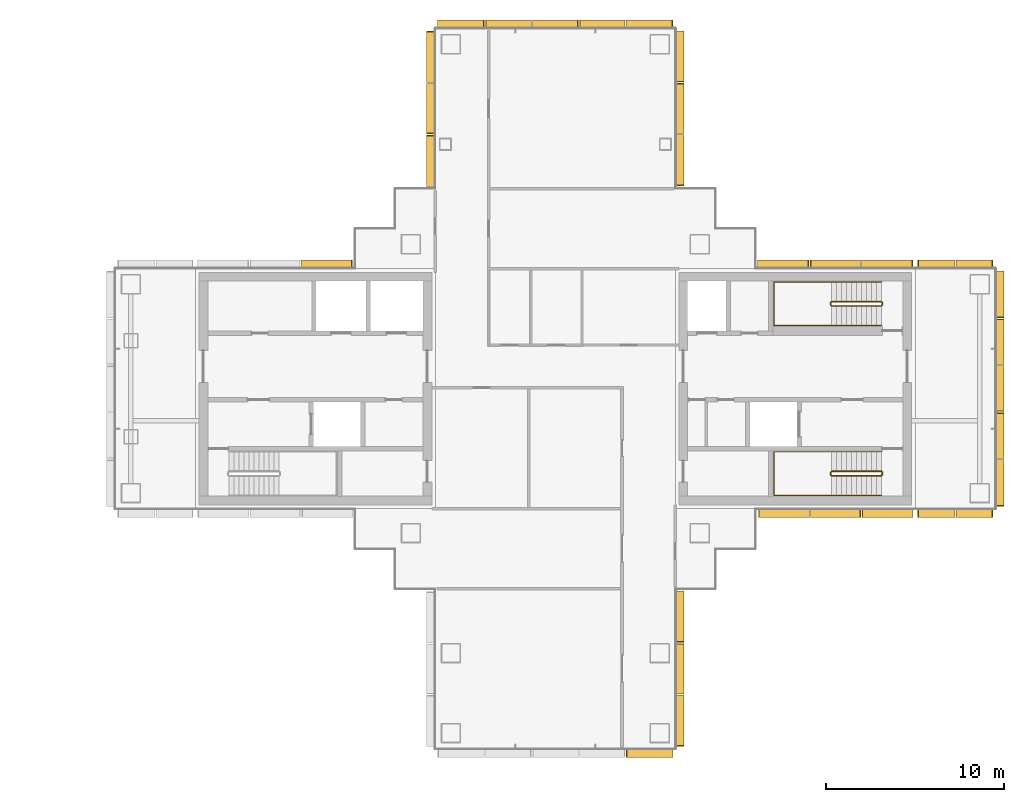
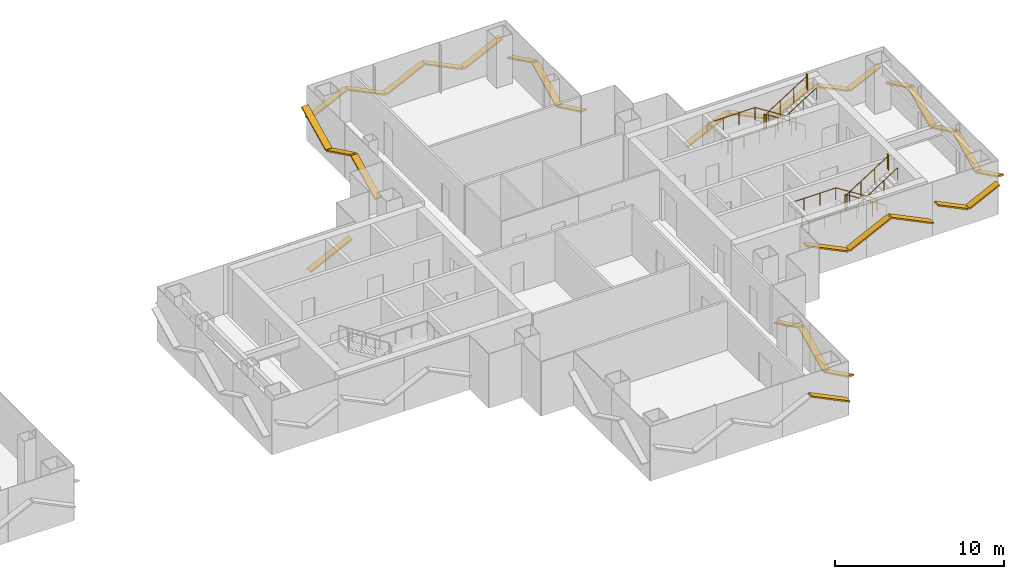
# One storey, part 16 of 16: 31 shading devices, 4 railings.
"""IFC4 building model written with IfcOpenShell, lengths in metres."""

import ifcopenshell
import ifcopenshell.guid

model = None  # the IFC model being written
_history = None  # IfcOwnerHistory: only IFC2X3 demands one
_inside = {}  # id of a spatial element -> (the spatial element, [elements in it])
_under = {}  # id of a project, library or spatial element -> (it, [spatial elements below it])
_declared = {}  # id of a project -> (the project, [libraries it declares])
_typed = {}  # id of a type object -> (the type object, [elements of that type])
_made_of = {}  # id of a material, layer set ... -> (it, [elements and type objects made of it])


def new_model(schema):
    """Start an empty IFC model of exactly this schema.

    Asked for "IFC4X3", IfcOpenShell would pick the latest addendum, in which some entities
    have other attributes; the version numbers below select the first issue.
    IFC2X3 requires an IfcOwnerHistory on every rooted entity: one is made here for all.
    """
    global model, _history
    if schema == "IFC4X3":
        model = ifcopenshell.file(schema_version=(4, 3, 0, 0))
    else:
        model = ifcopenshell.file(schema=schema)
    _inside.clear()
    _under.clear()
    _declared.clear()
    _typed.clear()
    _made_of.clear()
    _history = None
    if model.schema == "IFC2X3":
        org = make("IfcOrganization", Name="unknown")
        user = make(
            "IfcPersonAndOrganization",
            ThePerson=make("IfcPerson", FamilyName="unknown"),
            TheOrganization=org,
        )
        app = make(
            "IfcApplication",
            ApplicationDeveloper=org,
            Version="unknown",
            ApplicationFullName="unknown",
            ApplicationIdentifier="unknown",
        )
        _history = make(
            "IfcOwnerHistory",
            OwningUser=user,
            OwningApplication=app,
            ChangeAction="ADDED",
            CreationDate=0,
        )
    return model


def make(cls, **values):
    """One entity of the class cls with the attributes given. An attribute that is None is left unset."""
    return model.create_entity(
        cls, **{name: value for name, value in values.items() if value is not None}
    )


def rooted(cls, **values):
    """An entity with a GlobalId (a new one), such as an element, a storey or a relation."""
    return make(cls, GlobalId=ifcopenshell.guid.new(), OwnerHistory=_history, **values)


def si_unit(unit_type, name, prefix=None):
    """IfcSIUnit, for example si_unit("LENGTHUNIT", "METRE", prefix="MILLI")."""
    return make("IfcSIUnit", UnitType=unit_type, Prefix=prefix, Name=name)


def assignment(units):
    """IfcUnitAssignment: the units of a project."""
    return None if units is None else make("IfcUnitAssignment", Units=units)


def point(xyz):
    """IfcCartesianPoint."""
    return None if xyz is None else make("IfcCartesianPoint", Coordinates=xyz)


def direction(xyz):
    """IfcDirection."""
    return None if xyz is None else make("IfcDirection", DirectionRatios=xyz)


def frame(location, z_axis=None, x_axis=None):
    """IfcAxis2Placement3D, a coordinate frame: its origin and axes. An axis left out is left unset."""
    return make(
        "IfcAxis2Placement3D",
        Location=point(location),
        Axis=direction(z_axis),
        RefDirection=direction(x_axis),
    )


def frame_2d(location, x_axis=None):
    """IfcAxis2Placement2D, a coordinate frame in the plane: its origin and x axis."""
    return make(
        "IfcAxis2Placement2D", Location=point(location), RefDirection=direction(x_axis)
    )


def origin():
    """The frame at (0, 0, 0) with its axes left unset."""
    return frame((0.0, 0.0, 0.0))


def origin_2d():
    """The frame at (0, 0) in the plane with its x axis left unset."""
    return frame_2d((0.0, 0.0))


def place(relative_to, where):
    """IfcLocalPlacement: puts the frame where relative to a parent placement (None: the world)."""
    return make(
        "IfcLocalPlacement", PlacementRelTo=relative_to, RelativePlacement=where
    )


def context(
    kind, dimensions, precision=None, world=None, true_north=None, identifier=None
):
    """IfcGeometricRepresentationContext, for example the 3D "Model" context."""
    return make(
        "IfcGeometricRepresentationContext",
        ContextIdentifier=identifier,
        ContextType=kind,
        CoordinateSpaceDimension=dimensions,
        Precision=precision,
        WorldCoordinateSystem=world,
        TrueNorth=true_north,
    )


def subcontext(parent, identifier, kind, view, scale=None):
    """IfcGeometricRepresentationSubContext, for example "Body" below "Model"."""
    return make(
        "IfcGeometricRepresentationSubContext",
        ContextIdentifier=identifier,
        ContextType=kind,
        ParentContext=parent,
        TargetScale=scale,
        TargetView=view,
    )


def project(units=None, contexts=None):
    """IfcProject with its units and contexts."""
    return rooted(
        "IfcProject",
        Name="project",
        RepresentationContexts=contexts,
        UnitsInContext=assignment(units),
    )


def spatial(cls, under=None, at=None, **own):
    """A site, building, storey or space (cls), placed at a placement, below another one or the project."""
    s = rooted(cls, ObjectPlacement=at, **own)
    if under is not None:
        _under.setdefault(under.id(), (under, []))[1].append(s)
    return s


def profile(cls, at=None, kind="AREA", **sizes):
    """A parametric profile (cls). Its sizes go by their IFC names, for example OverallWidth=200.0."""
    return make(cls, ProfileType=kind, Position=at, **sizes)


def rectangle(**sizes):
    """IfcRectangleProfileDef."""
    return profile("IfcRectangleProfileDef", **sizes)


def circle(**sizes):
    """IfcCircleProfileDef."""
    return profile("IfcCircleProfileDef", **sizes)


def extrude(swept, where, along, depth):
    """IfcExtrudedAreaSolid: the profile swept, set in the frame where, extruded along a direction by depth."""
    return make(
        "IfcExtrudedAreaSolid",
        SweptArea=swept,
        Position=where,
        ExtrudedDirection=direction(along),
        Depth=depth,
    )


def shape(context_of_items, identifier, shape_type, items):
    """IfcShapeRepresentation: the items that make up one representation, for example the "Body"."""
    return make(
        "IfcShapeRepresentation",
        ContextOfItems=context_of_items,
        RepresentationIdentifier=identifier,
        RepresentationType=shape_type,
        Items=items,
    )


def material(Name=None, Category=None):
    """IfcMaterial."""
    return make("IfcMaterial", Name=Name, Category=Category)


def material_profile(
    of_material, cross_section, Name=None, Category=None, Priority=None
):
    """IfcMaterialProfile: a cross section and its material."""
    return make(
        "IfcMaterialProfile",
        Name=Name,
        Material=of_material,
        Profile=cross_section,
        Priority=Priority,
        Category=Category,
    )


def profile_set(profiles, Name=None, composite=None):
    """IfcMaterialProfileSet."""
    return make(
        "IfcMaterialProfileSet",
        Name=Name,
        MaterialProfiles=profiles,
        CompositeProfile=composite,
    )


def made_of(thing, what):
    """Note that an element or type object is made of a material, layer set ...; save() writes the relation."""
    if what is not None:
        _made_of.setdefault(what.id(), (what, []))[1].append(thing)
    return thing


def type_object(cls, material=None, **own):
    """A type object (cls), such as IfcWallType, which elements share."""
    return made_of(rooted(cls, **own), material)


def element(
    cls,
    number,
    at=None,
    inside=None,
    cuts=None,
    type_object=None,
    material=None,
    context=None,
    identifier="Body",
    shape_type=None,
    held_by="IfcProductDefinitionShape",
    body=None,
    shapes=None,
    **own,
):
    """One element of the class cls, such as IfcWall. Its Tag is "e" and its number.

    at: its placement. inside: the storey or other place that contains it. cuts: it is an
    opening in that element (IfcRelVoidsElement). A single representation is given by context,
    identifier, shape_type and body (its items); several are given by shapes. held_by: the class
    of the entity that holds the representations. save() writes the other relations.
    """
    e = rooted(cls, Tag="e%d" % number, ObjectPlacement=at, **own)
    if body is not None:
        shapes = [shape(context, identifier, shape_type, body)]
    if shapes is not None:
        e.Representation = make(held_by, Representations=shapes)
    if inside is not None:
        _inside.setdefault(inside.id(), (inside, []))[1].append(e)
    if cuts is not None:
        rooted(
            "IfcRelVoidsElement", RelatingBuildingElement=cuts, RelatedOpeningElement=e
        )
    if type_object is not None:
        _typed.setdefault(type_object.id(), (type_object, []))[1].append(e)
    return made_of(e, material)


def aggregate(whole, parts):
    """IfcRelAggregates: a whole, such as a stair, and the parts it consists of."""
    return rooted("IfcRelAggregates", RelatingObject=whole, RelatedObjects=parts)


def save(model, path):
    """Write the relations noted so far, then the file.

    IfcRelAggregates (storeys below a building ...), IfcRelContainedInSpatialStructure (elements
    in a storey), IfcRelDefinesByType, IfcRelAssociatesMaterial and IfcRelDeclares: one each for
    every whole, place, type object, material and project.
    """
    for whole, parts in _under.values():
        aggregate(whole, parts)
    for where, things in _inside.values():
        rooted(
            "IfcRelContainedInSpatialStructure",
            RelatedElements=things,
            RelatingStructure=where,
        )
    for kind, things in _typed.values():
        rooted("IfcRelDefinesByType", RelatedObjects=things, RelatingType=kind)
    for what, things in _made_of.values():
        rooted("IfcRelAssociatesMaterial", RelatedObjects=things, RelatingMaterial=what)
    for by, libraries in _declared.values():
        rooted("IfcRelDeclares", RelatingContext=by, RelatedDefinitions=libraries)
    model.write(path)


model = new_model("IFC4")

# Units and contexts
model_context = context("Model", 3, precision=1e-05, world=origin(), true_north=direction((0.0, 1.0)))
body_context = subcontext(model_context, "Body", "Model", "MODEL_VIEW")
ifc_project = project(units=[si_unit("LENGTHUNIT", "METRE"), si_unit("AREAUNIT", "SQUARE_METRE"), si_unit("VOLUMEUNIT", "CUBIC_METRE"), si_unit("PLANEANGLEUNIT", "RADIAN"), si_unit("MASSUNIT", "GRAM", prefix="KILO")], contexts=[model_context])

# Site, building, storey
site_placement = place(None, origin())
site = spatial("IfcSite", under=ifc_project, at=site_placement, CompositionType="ELEMENT")
building_placement = place(site_placement, origin())
building = spatial("IfcBuilding", under=site, at=building_placement, Name="Shamsa Quay Exchange Towers", CompositionType="ELEMENT")
storey_placement = place(building_placement, frame((0.0, 0.0, 166.199951171875)))
storey = spatial("IfcBuildingStorey", under=building, at=storey_placement, Name="L39", CompositionType="ELEMENT", Elevation=166.199951171875)

# Shading devices
ifc_material_1 = material(Name="Aluminium EN AW-6063 T6, black anodised", Category="aluminium")
ifc_material_profile = material_profile(ifc_material_1, rectangle(XDim=0.449951171875, YDim=0.10009765625, at=origin_2d()), Name="FIN450x100")
ifc_profile_set = profile_set([ifc_material_profile], Name="Aluminium EN AW-6063 T6, black anodised")
shading_device_type = type_object("IfcShadingDeviceType", Name="FIN 450x100 BLACK ALUMINIUM", PredefinedType="USERDEFINED", material=ifc_profile_set)
shading_device_1_placement = place(storey_placement, frame((45.18798828125, -7.01904296875, 2.2919921875), z_axis=(0.898807091918, 0.0, -0.438344398296), x_axis=(0.0, 1.0, 0.0)))
element("IfcShadingDevice", 1, at=shading_device_1_placement, inside=storey, type_object=shading_device_type, Name="FIN T2 chevron rib", ObjectType="FIN", PredefinedType="USERDEFINED", context=body_context, shape_type="SweptSolid", body=[
    extrude(rectangle(XDim=0.449951171875, YDim=0.10009765625, at=origin_2d()), origin(), (0.0, 0.0, 1.0), 3.15673828125),
])
shading_device_2_placement = place(storey_placement, frame((48.125244140625, -7.01904296875, 0.92041015625), z_axis=(0.898807785805, 0.0, 0.438342975507), x_axis=(0.0, 1.0, 0.0)))
element("IfcShadingDevice", 2, at=shading_device_2_placement, inside=storey, type_object=shading_device_type, Name="FIN T2 chevron rib", ObjectType="FIN", PredefinedType="USERDEFINED", context=body_context, shape_type="SweptSolid", body=[
    extrude(rectangle(XDim=0.449951171875, YDim=0.10009765625, at=origin_2d()), origin(), (0.0, 0.0, 1.0), 3.10107421875),
])
shading_device_3_placement = place(storey_placement, frame((51.0126953125, -7.01904296875, 2.2919921875), z_axis=(0.898807091918, 0.0, -0.438344398296), x_axis=(0.0, 1.0, 0.0)))
element("IfcShadingDevice", 3, at=shading_device_3_placement, inside=storey, type_object=shading_device_type, Name="FIN T2 chevron rib", ObjectType="FIN", PredefinedType="USERDEFINED", context=body_context, shape_type="SweptSolid", body=[
    extrude(rectangle(XDim=0.449951171875, YDim=0.10009765625, at=origin_2d()), origin(), (0.0, 0.0, 1.0), 3.15673828125),
])
for number, where, z_axis, x_axis, name in (
    (4, (54.14990234375, -7.014892578125, 2.099853515625), (0.898814733754, 0.0, -0.43832872868), (0.0, 1.0, 0.0), "FIN T2 chevron rib"),
    (5, (56.300048828125, -7.014892578125, 1.10009765625), (0.898814733754, 0.0, 0.43832872868), (0.0, 1.0, 0.0), "FIN T2 chevron rib"),
):
    element("IfcShadingDevice", number, at=place(storey_placement, frame(where, z_axis=z_axis, x_axis=x_axis)), inside=storey, type_object=shading_device_type, Name=name, ObjectType="FIN", PredefinedType="USERDEFINED", context=body_context, shape_type="SweptSolid", body=[
        extrude(rectangle(XDim=0.449951171875, YDim=0.10009765625, at=origin_2d()), origin(), (0.0, 0.0, 1.0), 2.28076171875),
    ])
shading_device_4_placement = place(storey_placement, frame((58.764892578125, -6.60009765625, 2.231689453125), z_axis=(0.0, 0.898805897141, -0.43834684813), x_axis=(-1.0, 0.0, 0.0)))
element("IfcShadingDevice", 6, at=shading_device_4_placement, inside=storey, type_object=shading_device_type, Name="FIN T2 chevron rib", ObjectType="FIN", PredefinedType="USERDEFINED", context=body_context, shape_type="SweptSolid", body=[
    extrude(rectangle(XDim=0.449951171875, YDim=0.10009765625, at=origin_2d()), origin(), (0.0, 0.0, 1.0), 2.881591796875),
])
shading_device_5_placement = place(storey_placement, frame((58.764892578125, -3.909912109375, 0.980712890625), z_axis=(0.0, 0.898790033474, 0.438379374204), x_axis=(-1.0, 0.0, 0.0)))
element("IfcShadingDevice", 7, at=shading_device_5_placement, inside=storey, type_object=shading_device_type, Name="FIN T2 chevron rib", ObjectType="FIN", PredefinedType="USERDEFINED", context=body_context, shape_type="SweptSolid", body=[
    extrude(rectangle(XDim=0.449951171875, YDim=0.10009765625, at=origin_2d()), origin(), (0.0, 0.0, 1.0), 2.82568359375),
])
shading_device_6_placement = place(storey_placement, frame((58.764892578125, -1.27001953125, 2.219482421875), z_axis=(0.0, 0.898806635049, -0.438345335086), x_axis=(-1.0, 0.0, 0.0)))
element("IfcShadingDevice", 8, at=shading_device_6_placement, inside=storey, type_object=shading_device_type, Name="FIN T2 chevron rib", ObjectType="FIN", PredefinedType="USERDEFINED", context=body_context, shape_type="SweptSolid", body=[
    extrude(rectangle(XDim=0.449951171875, YDim=0.10009765625, at=origin_2d()), origin(), (0.0, 0.0, 1.0), 2.825927734375),
])
shading_device_7_placement = place(storey_placement, frame((58.764892578125, 1.3701171875, 0.980712890625), z_axis=(0.0, 0.898790033474, 0.438379374204), x_axis=(-1.0, 0.0, 0.0)))
element("IfcShadingDevice", 9, at=shading_device_7_placement, inside=storey, type_object=shading_device_type, Name="FIN T2 chevron rib", ObjectType="FIN", PredefinedType="USERDEFINED", context=body_context, shape_type="SweptSolid", body=[
    extrude(rectangle(XDim=0.449951171875, YDim=0.10009765625, at=origin_2d()), origin(), (0.0, 0.0, 1.0), 2.82568359375),
])
shading_device_8_placement = place(storey_placement, frame((58.764892578125, 4.010009765625, 2.231689453125), z_axis=(0.0, 0.898805897141, -0.43834684813), x_axis=(-1.0, 0.0, 0.0)))
element("IfcShadingDevice", 10, at=shading_device_8_placement, inside=storey, type_object=shading_device_type, Name="FIN T2 chevron rib", ObjectType="FIN", PredefinedType="USERDEFINED", context=body_context, shape_type="SweptSolid", body=[
    extrude(rectangle(XDim=0.449951171875, YDim=0.10009765625, at=origin_2d()), origin(), (0.0, 0.0, 1.0), 2.881591796875),
])
for number, where, z_axis, x_axis, name in (
    (11, (58.35009765625, 7.014892578125, 2.099853515625), (-0.898814733754, 0.0, -0.43832872868), (0.0, -1.0, 0.0), "FIN T2 chevron rib"),
    (12, (56.199951171875, 7.014892578125, 1.10009765625), (-0.898814733754, 0.0, 0.43832872868), (0.0, -1.0, 0.0), "FIN T2 chevron rib"),
):
    element("IfcShadingDevice", number, at=place(storey_placement, frame(where, z_axis=z_axis, x_axis=x_axis)), inside=storey, type_object=shading_device_type, Name=name, ObjectType="FIN", PredefinedType="USERDEFINED", context=body_context, shape_type="SweptSolid", body=[
        extrude(rectangle(XDim=0.449951171875, YDim=0.10009765625, at=origin_2d()), origin(), (0.0, 0.0, 1.0), 2.28076171875),
    ])
shading_device_9_placement = place(storey_placement, frame((53.85009765625, 7.01904296875, 2.295166015625), z_axis=(-0.898787683167, 0.0, -0.438384192903), x_axis=(0.0, -1.0, 0.0)))
element("IfcShadingDevice", 13, at=shading_device_9_placement, inside=storey, type_object=shading_device_type, Name="FIN T2 chevron rib", ObjectType="FIN", PredefinedType="USERDEFINED", context=body_context, shape_type="SweptSolid", body=[
    extrude(rectangle(XDim=0.449951171875, YDim=0.10009765625, at=origin_2d()), origin(), (0.0, 0.0, 1.0), 3.171142578125),
])
shading_device_10_placement = place(storey_placement, frame((50.89990234375, 7.01904296875, 0.917236328125), z_axis=(-0.898772964899, 0.0, 0.438414367427), x_axis=(0.0, -1.0, 0.0)))
element("IfcShadingDevice", 14, at=shading_device_10_placement, inside=storey, type_object=shading_device_type, Name="FIN T2 chevron rib", ObjectType="FIN", PredefinedType="USERDEFINED", context=body_context, shape_type="SweptSolid", body=[
    extrude(rectangle(XDim=0.449951171875, YDim=0.10009765625, at=origin_2d()), origin(), (0.0, 0.0, 1.0), 3.115234375),
])
shading_device_11_placement = place(storey_placement, frame((48.0, 7.01904296875, 2.295166015625), z_axis=(-0.898787683167, 0.0, -0.438384192903), x_axis=(0.0, -1.0, 0.0)))
element("IfcShadingDevice", 15, at=shading_device_11_placement, inside=storey, type_object=shading_device_type, Name="FIN T2 chevron rib", ObjectType="FIN", PredefinedType="USERDEFINED", context=body_context, shape_type="SweptSolid", body=[
    extrude(rectangle(XDim=0.449951171875, YDim=0.10009765625, at=origin_2d()), origin(), (0.0, 0.0, 1.0), 3.171142578125),
])
shading_device_12_placement = place(storey_placement, frame((40.764892578125, 11.43798828125, 2.2919921875), z_axis=(0.0, 0.898807091918, -0.438344398296), x_axis=(-1.0, 0.0, 0.0)))
element("IfcShadingDevice", 16, at=shading_device_12_placement, inside=storey, type_object=shading_device_type, Name="FIN T2 chevron rib", ObjectType="FIN", PredefinedType="USERDEFINED", context=body_context, shape_type="SweptSolid", body=[
    extrude(rectangle(XDim=0.449951171875, YDim=0.10009765625, at=origin_2d()), origin(), (0.0, 0.0, 1.0), 3.15673828125),
])
shading_device_13_placement = place(storey_placement, frame((40.764892578125, 14.375244140625, 0.92041015625), z_axis=(0.0, 0.898807785805, 0.438342975507), x_axis=(-1.0, 0.0, 0.0)))
element("IfcShadingDevice", 17, at=shading_device_13_placement, inside=storey, type_object=shading_device_type, Name="FIN T2 chevron rib", ObjectType="FIN", PredefinedType="USERDEFINED", context=body_context, shape_type="SweptSolid", body=[
    extrude(rectangle(XDim=0.449951171875, YDim=0.10009765625, at=origin_2d()), origin(), (0.0, 0.0, 1.0), 3.10107421875),
])
shading_device_14_placement = place(storey_placement, frame((40.764892578125, 17.2626953125, 2.2919921875), z_axis=(0.0, 0.898807091918, -0.438344398296), x_axis=(-1.0, 0.0, 0.0)))
element("IfcShadingDevice", 18, at=shading_device_14_placement, inside=storey, type_object=shading_device_type, Name="FIN T2 chevron rib", ObjectType="FIN", PredefinedType="USERDEFINED", context=body_context, shape_type="SweptSolid", body=[
    extrude(rectangle(XDim=0.449951171875, YDim=0.10009765625, at=origin_2d()), origin(), (0.0, 0.0, 1.0), 3.15673828125),
])
shading_device_15_placement = place(storey_placement, frame((40.35009765625, 20.514892578125, 2.231689453125), z_axis=(-0.898805897141, 0.0, -0.43834684813), x_axis=(0.0, -1.0, 0.0)))
element("IfcShadingDevice", 19, at=shading_device_15_placement, inside=storey, type_object=shading_device_type, Name="FIN T2 chevron rib", ObjectType="FIN", PredefinedType="USERDEFINED", context=body_context, shape_type="SweptSolid", body=[
    extrude(rectangle(XDim=0.449951171875, YDim=0.10009765625, at=origin_2d()), origin(), (0.0, 0.0, 1.0), 2.881591796875),
])
shading_device_16_placement = place(storey_placement, frame((37.659912109375, 20.514892578125, 0.980712890625), z_axis=(-0.898790033474, 0.0, 0.438379374204), x_axis=(0.0, -1.0, 0.0)))
element("IfcShadingDevice", 20, at=shading_device_16_placement, inside=storey, type_object=shading_device_type, Name="FIN T2 chevron rib", ObjectType="FIN", PredefinedType="USERDEFINED", context=body_context, shape_type="SweptSolid", body=[
    extrude(rectangle(XDim=0.449951171875, YDim=0.10009765625, at=origin_2d()), origin(), (0.0, 0.0, 1.0), 2.82568359375),
])
shading_device_17_placement = place(storey_placement, frame((35.02001953125, 20.514892578125, 2.219482421875), z_axis=(-0.898806635049, 0.0, -0.438345335086), x_axis=(0.0, -1.0, 0.0)))
element("IfcShadingDevice", 21, at=shading_device_17_placement, inside=storey, type_object=shading_device_type, Name="FIN T2 chevron rib", ObjectType="FIN", PredefinedType="USERDEFINED", context=body_context, shape_type="SweptSolid", body=[
    extrude(rectangle(XDim=0.449951171875, YDim=0.10009765625, at=origin_2d()), origin(), (0.0, 0.0, 1.0), 2.825927734375),
])
shading_device_18_placement = place(storey_placement, frame((32.3798828125, 20.514892578125, 0.980712890625), z_axis=(-0.898790033474, 0.0, 0.438379374204), x_axis=(0.0, -1.0, 0.0)))
element("IfcShadingDevice", 22, at=shading_device_18_placement, inside=storey, type_object=shading_device_type, Name="FIN T2 chevron rib", ObjectType="FIN", PredefinedType="USERDEFINED", context=body_context, shape_type="SweptSolid", body=[
    extrude(rectangle(XDim=0.449951171875, YDim=0.10009765625, at=origin_2d()), origin(), (0.0, 0.0, 1.0), 2.82568359375),
])
shading_device_19_placement = place(storey_placement, frame((29.739990234375, 20.514892578125, 2.231689453125), z_axis=(-0.898805897141, 0.0, -0.43834684813), x_axis=(0.0, -1.0, 0.0)))
element("IfcShadingDevice", 23, at=shading_device_19_placement, inside=storey, type_object=shading_device_type, Name="FIN T2 chevron rib", ObjectType="FIN", PredefinedType="USERDEFINED", context=body_context, shape_type="SweptSolid", body=[
    extrude(rectangle(XDim=0.449951171875, YDim=0.10009765625, at=origin_2d()), origin(), (0.0, 0.0, 1.0), 2.881591796875),
])
shading_device_20_placement = place(storey_placement, frame((26.735107421875, 20.10009765625, 2.295166015625), z_axis=(0.0, -0.898787683167, -0.438384192903), x_axis=(1.0, 0.0, 0.0)))
element("IfcShadingDevice", 24, at=shading_device_20_placement, inside=storey, type_object=shading_device_type, Name="FIN T2 chevron rib", ObjectType="FIN", PredefinedType="USERDEFINED", context=body_context, shape_type="SweptSolid", body=[
    extrude(rectangle(XDim=0.449951171875, YDim=0.10009765625, at=origin_2d()), origin(), (0.0, 0.0, 1.0), 3.171142578125),
])
shading_device_21_placement = place(storey_placement, frame((26.735107421875, 17.14990234375, 0.917236328125), z_axis=(0.0, -0.898772964899, 0.438414367427), x_axis=(1.0, 0.0, 0.0)))
element("IfcShadingDevice", 25, at=shading_device_21_placement, inside=storey, type_object=shading_device_type, Name="FIN T2 chevron rib", ObjectType="FIN", PredefinedType="USERDEFINED", context=body_context, shape_type="SweptSolid", body=[
    extrude(rectangle(XDim=0.449951171875, YDim=0.10009765625, at=origin_2d()), origin(), (0.0, 0.0, 1.0), 3.115234375),
])
shading_device_22_placement = place(storey_placement, frame((26.735107421875, 14.25, 2.295166015625), z_axis=(0.0, -0.898787683167, -0.438384192903), x_axis=(1.0, 0.0, 0.0)))
element("IfcShadingDevice", 26, at=shading_device_22_placement, inside=storey, type_object=shading_device_type, Name="FIN T2 chevron rib", ObjectType="FIN", PredefinedType="USERDEFINED", context=body_context, shape_type="SweptSolid", body=[
    extrude(rectangle(XDim=0.449951171875, YDim=0.10009765625, at=origin_2d()), origin(), (0.0, 0.0, 1.0), 3.171142578125),
])
shading_device_23_placement = place(storey_placement, frame((22.31201171875, 7.01904296875, 2.2919921875), z_axis=(-0.898807091918, 0.0, -0.438344398296), x_axis=(0.0, -1.0, 0.0)))
element("IfcShadingDevice", 27, at=shading_device_23_placement, inside=storey, type_object=shading_device_type, Name="FIN T2 chevron rib", ObjectType="FIN", PredefinedType="USERDEFINED", context=body_context, shape_type="SweptSolid", body=[
    extrude(rectangle(XDim=0.449951171875, YDim=0.10009765625, at=origin_2d()), origin(), (0.0, 0.0, 1.0), 3.15673828125),
])
shading_device_24_placement = place(storey_placement, frame((37.760009765625, -20.514892578125, 2.231689453125), z_axis=(0.898805897141, 0.0, -0.43834684813), x_axis=(0.0, 1.0, 0.0)))
element("IfcShadingDevice", 28, at=shading_device_24_placement, inside=storey, type_object=shading_device_type, Name="FIN T2 chevron rib", ObjectType="FIN", PredefinedType="USERDEFINED", context=body_context, shape_type="SweptSolid", body=[
    extrude(rectangle(XDim=0.449951171875, YDim=0.10009765625, at=origin_2d()), origin(), (0.0, 0.0, 1.0), 2.881591796875),
])
shading_device_25_placement = place(storey_placement, frame((40.764892578125, -20.10009765625, 2.295166015625), z_axis=(0.0, 0.898787683167, -0.438384192903), x_axis=(-1.0, 0.0, 0.0)))
element("IfcShadingDevice", 29, at=shading_device_25_placement, inside=storey, type_object=shading_device_type, Name="FIN T2 chevron rib", ObjectType="FIN", PredefinedType="USERDEFINED", context=body_context, shape_type="SweptSolid", body=[
    extrude(rectangle(XDim=0.449951171875, YDim=0.10009765625, at=origin_2d()), origin(), (0.0, 0.0, 1.0), 3.171142578125),
])
shading_device_26_placement = place(storey_placement, frame((40.764892578125, -17.14990234375, 0.917236328125), z_axis=(0.0, 0.898772964899, 0.438414367427), x_axis=(-1.0, 0.0, 0.0)))
element("IfcShadingDevice", 30, at=shading_device_26_placement, inside=storey, type_object=shading_device_type, Name="FIN T2 chevron rib", ObjectType="FIN", PredefinedType="USERDEFINED", context=body_context, shape_type="SweptSolid", body=[
    extrude(rectangle(XDim=0.449951171875, YDim=0.10009765625, at=origin_2d()), origin(), (0.0, 0.0, 1.0), 3.115234375),
])
shading_device_27_placement = place(storey_placement, frame((40.764892578125, -14.25, 2.295166015625), z_axis=(0.0, 0.898787683167, -0.438384192903), x_axis=(-1.0, 0.0, 0.0)))
element("IfcShadingDevice", 31, at=shading_device_27_placement, inside=storey, type_object=shading_device_type, Name="FIN T2 chevron rib", ObjectType="FIN", PredefinedType="USERDEFINED", context=body_context, shape_type="SweptSolid", body=[
    extrude(rectangle(XDim=0.449951171875, YDim=0.10009765625, at=origin_2d()), origin(), (0.0, 0.0, 1.0), 3.171142578125),
])

# Railings
ifc_material_2 = material(Name="Stainless steel", Category="steel")
railing_type_1 = type_object("IfcRailingType", Name="STAIR GUARD 1100", PredefinedType="GUARDRAIL", material=ifc_material_2)
railing_1_placement = place(storey_placement, frame((52.10009765625, -4.64990234375, 0.17724609375)))
element("IfcRailing", 32, at=railing_1_placement, inside=storey, type_object=railing_type_1, Name="L39 ST5 stair guard 1", PredefinedType="GUARDRAIL", context=body_context, shape_type="SweptSolid", body=[
    extrude(circle(Radius=0.02392578125, at=origin_2d()), frame((0.0, 0.0, 1.076171875), z_axis=(-0.844908973607, 0.0, 0.534910110503), x_axis=(0.0, -1.0, 0.0)), (0.0, 0.0, 1.0), 3.31396484375),
    extrude(circle(Radius=0.02392578125, at=origin_2d()), frame((-2.800048828125, 0.0, 2.8486328125), z_axis=(-0.707106781187, -0.707106781187, 0.0), x_axis=(0.707106781187, -0.707106781187, 0.0)), (0.0, 0.0, 1.0), 0.07080078125),
    extrude(circle(Radius=0.02392578125, at=origin_2d()), frame((-2.85009765625, -0.050048828125, 2.8486328125), z_axis=(0.0, -1.0, 0.0), x_axis=(1.0, 0.0, 0.0)), (0.0, 0.0, 1.0), 0.150146484375),
    extrude(circle(Radius=0.02392578125, at=origin_2d()), frame((-2.85009765625, -0.2001953125, 2.8486328125), z_axis=(0.262009983441, -0.260731885961, 0.929176868105), x_axis=(0.705375805398, 0.708833529934, 0.0)), (0.0, 0.0, 1.0), 0.19091796875),
    extrude(circle(Radius=0.02392578125, at=origin_2d()), frame((-2.800048828125, -0.25, 3.0263671875), z_axis=(0.844908973607, 0.0, 0.534910110503), x_axis=(0.0, 1.0, 0.0)), (0.0, 0.0, 1.0), 3.31396484375),
    extrude(circle(Radius=0.02392578125, at=origin_2d()), frame((0.0, -0.25, 4.798828125), z_axis=(0.241699205484, 0.970351222016, 0.0), x_axis=(-0.970351222016, 0.241699205484, 0.0)), (0.0, 0.0, 1.0), 0.2060546875),
    extrude(circle(Radius=0.02392578125, at=origin_2d()), frame((0.0498046875, -0.050048828125, 4.798828125), z_axis=(0.0, -1.0, 0.0), x_axis=(1.0, 0.0, 0.0)), (0.0, 0.0, 1.0), 0.150146484375),
    extrude(circle(Radius=0.02099609375, at=origin_2d()), origin(), (0.0, 0.0, 1.0), 1.052001953125),
    extrude(circle(Radius=0.02099609375, at=origin_2d()), frame((-0.933349609375, 0.0, 0.5908203125)), (0.0, 0.0, 1.0), 1.052001953125),
    extrude(circle(Radius=0.02099609375, at=origin_2d()), frame((-1.86669921875, 0.0, 1.181884765625)), (0.0, 0.0, 1.0), 1.052001953125),
    extrude(circle(Radius=0.02099609375, at=origin_2d()), frame((-2.800048828125, 0.0, 1.772705078125)), (0.0, 0.0, 1.0), 1.052001953125),
    extrude(circle(Radius=0.02099609375, at=origin_2d()), frame((-2.85009765625, -0.050048828125, 1.772705078125)), (0.0, 0.0, 1.0), 1.052001953125),
    extrude(circle(Radius=0.02099609375, at=origin_2d()), frame((-2.85009765625, -0.2001953125, 1.772705078125)), (0.0, 0.0, 1.0), 1.052001953125),
    extrude(circle(Radius=0.02099609375, at=origin_2d()), frame((-2.800048828125, -0.25, 1.9501953125)), (0.0, 0.0, 1.0), 1.052001953125),
    extrude(circle(Radius=0.02099609375, at=origin_2d()), frame((-1.86669921875, -0.25, 2.541015625)), (0.0, 0.0, 1.0), 1.052001953125),
    extrude(circle(Radius=0.02099609375, at=origin_2d()), frame((-0.933349609375, -0.25, 3.132080078125)), (0.0, 0.0, 1.0), 1.052001953125),
    extrude(circle(Radius=0.02099609375, at=origin_2d()), frame((0.0, -0.25, 3.722900390625)), (0.0, 0.0, 1.0), 1.052001953125),
    extrude(circle(Radius=0.02099609375, at=origin_2d()), frame((0.0498046875, -0.050048828125, 3.722900390625)), (0.0, 0.0, 1.0), 1.052001953125),
    extrude(circle(Radius=0.02099609375, at=origin_2d()), frame((0.0498046875, -0.2001953125, 3.722900390625)), (0.0, 0.0, 1.0), 1.052001953125),
])
railing_2_placement = place(storey_placement, frame((52.10009765625, 4.89990234375, 0.17724609375)))
element("IfcRailing", 33, at=railing_2_placement, inside=storey, type_object=railing_type_1, Name="L39 ST6 stair guard 1", PredefinedType="GUARDRAIL", context=body_context, shape_type="SweptSolid", body=[
    extrude(circle(Radius=0.02392578125, at=origin_2d()), frame((0.0, 0.0, 1.076171875), z_axis=(-0.844908973607, 0.0, 0.534910110503), x_axis=(0.0, -1.0, 0.0)), (0.0, 0.0, 1.0), 3.31396484375),
    extrude(circle(Radius=0.02392578125, at=origin_2d()), frame((-2.800048828125, 0.0, 2.8486328125), z_axis=(-0.708833529934, -0.705375805398, 0.0), x_axis=(0.705375805398, -0.708833529934, 0.0)), (0.0, 0.0, 1.0), 0.070556640625),
    extrude(circle(Radius=0.02392578125, at=origin_2d()), frame((-2.85009765625, -0.0498046875, 2.8486328125), z_axis=(0.0, -1.0, 0.0), x_axis=(1.0, 0.0, 0.0)), (0.0, 0.0, 1.0), 0.150146484375),
    extrude(circle(Radius=0.02392578125, at=origin_2d()), frame((-2.85009765625, -0.199951171875, 2.8486328125), z_axis=(0.261922500866, -0.261922500866, 0.928866625022), x_axis=(0.707106781187, 0.707106781187, 0.0)), (0.0, 0.0, 1.0), 0.191162109375),
    extrude(circle(Radius=0.02392578125, at=origin_2d()), frame((-2.800048828125, -0.25, 3.0263671875), z_axis=(0.844908973607, 0.0, 0.534910110503), x_axis=(0.0, 1.0, 0.0)), (0.0, 0.0, 1.0), 3.31396484375),
    extrude(circle(Radius=0.02392578125, at=origin_2d()), frame((0.0, -0.25, 4.798828125), z_axis=(0.24142163986, 0.970420317083, 0.0), x_axis=(-0.970420317083, 0.24142163986, 0.0)), (0.0, 0.0, 1.0), 0.206298828125),
    extrude(circle(Radius=0.02392578125, at=origin_2d()), frame((0.0498046875, -0.0498046875, 4.798828125), z_axis=(0.0, -1.0, 0.0), x_axis=(1.0, 0.0, 0.0)), (0.0, 0.0, 1.0), 0.150146484375),
    extrude(circle(Radius=0.02099609375, at=origin_2d()), origin(), (0.0, 0.0, 1.0), 1.052001953125),
    extrude(circle(Radius=0.02099609375, at=origin_2d()), frame((-0.933349609375, 0.0, 0.5908203125)), (0.0, 0.0, 1.0), 1.052001953125),
    extrude(circle(Radius=0.02099609375, at=origin_2d()), frame((-1.86669921875, 0.0, 1.181884765625)), (0.0, 0.0, 1.0), 1.052001953125),
    extrude(circle(Radius=0.02099609375, at=origin_2d()), frame((-2.800048828125, 0.0, 1.772705078125)), (0.0, 0.0, 1.0), 1.052001953125),
    extrude(circle(Radius=0.02099609375, at=origin_2d()), frame((-2.85009765625, -0.0498046875, 1.772705078125)), (0.0, 0.0, 1.0), 1.052001953125),
    extrude(circle(Radius=0.02099609375, at=origin_2d()), frame((-2.85009765625, -0.199951171875, 1.772705078125)), (0.0, 0.0, 1.0), 1.052001953125),
    extrude(circle(Radius=0.02099609375, at=origin_2d()), frame((-2.800048828125, -0.25, 1.9501953125)), (0.0, 0.0, 1.0), 1.052001953125),
    extrude(circle(Radius=0.02099609375, at=origin_2d()), frame((-1.86669921875, -0.25, 2.541015625)), (0.0, 0.0, 1.0), 1.052001953125),
    extrude(circle(Radius=0.02099609375, at=origin_2d()), frame((-0.933349609375, -0.25, 3.132080078125)), (0.0, 0.0, 1.0), 1.052001953125),
    extrude(circle(Radius=0.02099609375, at=origin_2d()), frame((0.0, -0.25, 3.722900390625)), (0.0, 0.0, 1.0), 1.052001953125),
    extrude(circle(Radius=0.02099609375, at=origin_2d()), frame((0.0498046875, -0.0498046875, 3.722900390625)), (0.0, 0.0, 1.0), 1.052001953125),
    extrude(circle(Radius=0.02099609375, at=origin_2d()), frame((0.0498046875, -0.199951171875, 3.722900390625)), (0.0, 0.0, 1.0), 1.052001953125),
])
railing_type_2 = type_object("IfcRailingType", Name="STAIR HANDRAIL 900", PredefinedType="HANDRAIL", material=ifc_material_2)
railing_3_placement = place(storey_placement, frame((52.10009765625, -3.550048828125, 0.17724609375)))
element("IfcRailing", 34, at=railing_3_placement, inside=storey, type_object=railing_type_2, Name="L39 ST5 stair handrail 1", PredefinedType="HANDRAIL", context=body_context, shape_type="SweptSolid", body=[
    extrude(circle(Radius=0.02392578125, at=origin_2d()), frame((0.0, 0.0, 0.8759765625), z_axis=(-0.844908973607, 0.0, 0.534910110503), x_axis=(0.0, -1.0, 0.0)), (0.0, 0.0, 1.0), 3.31396484375),
    extrude(circle(Radius=0.02392578125, at=origin_2d()), frame((-2.800048828125, 0.0, 2.6484375), z_axis=(-1.0, 0.0, 0.0), x_axis=(0.0, -1.0, 0.0)), (0.0, 0.0, 1.0), 3.25),
    extrude(circle(Radius=0.02392578125, at=origin_2d()), frame((-6.050048828125, 0.0, 2.6484375), z_axis=(0.0, -0.997386041853, 0.072257065513), x_axis=(1.0, 0.0, 0.0)), (0.0, 0.0, 1.0), 2.456298828125),
    extrude(circle(Radius=0.02392578125, at=origin_2d()), frame((-6.050048828125, -2.449951171875, 2.826171875), z_axis=(1.0, 0.0, 0.0), x_axis=(0.0, 1.0, 0.0)), (0.0, 0.0, 1.0), 3.25),
    extrude(circle(Radius=0.02392578125, at=origin_2d()), frame((-2.800048828125, -2.449951171875, 2.826171875), z_axis=(0.844908973607, 0.0, 0.534910110503), x_axis=(0.0, 1.0, 0.0)), (0.0, 0.0, 1.0), 3.31396484375),
    extrude(circle(Radius=0.02099609375, at=origin_2d()), origin(), (0.0, 0.0, 1.0), 0.851806640625),
    extrude(circle(Radius=0.02099609375, at=origin_2d()), frame((-0.933349609375, 0.0, 0.5908203125)), (0.0, 0.0, 1.0), 0.851806640625),
    extrude(circle(Radius=0.02099609375, at=origin_2d()), frame((-1.86669921875, 0.0, 1.181884765625)), (0.0, 0.0, 1.0), 0.851806640625),
    extrude(circle(Radius=0.02099609375, at=origin_2d()), frame((-2.800048828125, 0.0, 1.772705078125)), (0.0, 0.0, 1.0), 0.851806640625),
    extrude(circle(Radius=0.02099609375, at=origin_2d()), frame((-3.88330078125, 0.0, 1.772705078125)), (0.0, 0.0, 1.0), 0.851806640625),
    extrude(circle(Radius=0.02099609375, at=origin_2d()), frame((-4.966796875, 0.0, 1.772705078125)), (0.0, 0.0, 1.0), 0.851806640625),
    extrude(circle(Radius=0.02099609375, at=origin_2d()), frame((-6.050048828125, 0.0, 1.772705078125)), (0.0, 0.0, 1.0), 0.851806640625),
    extrude(circle(Radius=0.02099609375, at=origin_2d()), frame((-6.050048828125, -0.816650390625, 1.831787109375)), (0.0, 0.0, 1.0), 0.851806640625),
    extrude(circle(Radius=0.02099609375, at=origin_2d()), frame((-6.050048828125, -1.63330078125, 1.89111328125)), (0.0, 0.0, 1.0), 0.851806640625),
    extrude(circle(Radius=0.02099609375, at=origin_2d()), frame((-6.050048828125, -2.449951171875, 1.9501953125)), (0.0, 0.0, 1.0), 0.851806640625),
    extrude(circle(Radius=0.02099609375, at=origin_2d()), frame((-4.966796875, -2.449951171875, 1.9501953125)), (0.0, 0.0, 1.0), 0.851806640625),
    extrude(circle(Radius=0.02099609375, at=origin_2d()), frame((-3.88330078125, -2.449951171875, 1.9501953125)), (0.0, 0.0, 1.0), 0.851806640625),
    extrude(circle(Radius=0.02099609375, at=origin_2d()), frame((-2.800048828125, -2.449951171875, 1.9501953125)), (0.0, 0.0, 1.0), 0.851806640625),
    extrude(circle(Radius=0.02099609375, at=origin_2d()), frame((-1.86669921875, -2.449951171875, 2.541015625)), (0.0, 0.0, 1.0), 0.851806640625),
    extrude(circle(Radius=0.02099609375, at=origin_2d()), frame((-0.933349609375, -2.449951171875, 3.132080078125)), (0.0, 0.0, 1.0), 0.851806640625),
    extrude(circle(Radius=0.02099609375, at=origin_2d()), frame((0.0, -2.449951171875, 3.722900390625)), (0.0, 0.0, 1.0), 0.851806640625),
])
railing_4_placement = place(storey_placement, frame((52.10009765625, 6.0, 0.17724609375)))
element("IfcRailing", 35, at=railing_4_placement, inside=storey, type_object=railing_type_2, Name="L39 ST6 stair handrail 1", PredefinedType="HANDRAIL", context=body_context, shape_type="SweptSolid", body=[
    extrude(circle(Radius=0.02392578125, at=origin_2d()), frame((0.0, 0.0, 0.8759765625), z_axis=(-0.844908973607, 0.0, 0.534910110503), x_axis=(0.0, -1.0, 0.0)), (0.0, 0.0, 1.0), 3.31396484375),
    extrude(circle(Radius=0.02392578125, at=origin_2d()), frame((-2.800048828125, 0.0, 2.6484375), z_axis=(-1.0, 0.0, 0.0), x_axis=(0.0, -1.0, 0.0)), (0.0, 0.0, 1.0), 3.25),
    extrude(circle(Radius=0.02392578125, at=origin_2d()), frame((-6.050048828125, 0.0, 2.6484375), z_axis=(0.0, -0.997386041853, 0.072257065513), x_axis=(1.0, 0.0, 0.0)), (0.0, 0.0, 1.0), 2.456298828125),
    extrude(circle(Radius=0.02392578125, at=origin_2d()), frame((-6.050048828125, -2.449951171875, 2.826171875), z_axis=(1.0, 0.0, 0.0), x_axis=(0.0, 1.0, 0.0)), (0.0, 0.0, 1.0), 3.25),
    extrude(circle(Radius=0.02392578125, at=origin_2d()), frame((-2.800048828125, -2.449951171875, 2.826171875), z_axis=(0.844908973607, 0.0, 0.534910110503), x_axis=(0.0, 1.0, 0.0)), (0.0, 0.0, 1.0), 3.31396484375),
    extrude(circle(Radius=0.02099609375, at=origin_2d()), origin(), (0.0, 0.0, 1.0), 0.851806640625),
    extrude(circle(Radius=0.02099609375, at=origin_2d()), frame((-0.933349609375, 0.0, 0.5908203125)), (0.0, 0.0, 1.0), 0.851806640625),
    extrude(circle(Radius=0.02099609375, at=origin_2d()), frame((-1.86669921875, 0.0, 1.181884765625)), (0.0, 0.0, 1.0), 0.851806640625),
    extrude(circle(Radius=0.02099609375, at=origin_2d()), frame((-2.800048828125, 0.0, 1.772705078125)), (0.0, 0.0, 1.0), 0.851806640625),
    extrude(circle(Radius=0.02099609375, at=origin_2d()), frame((-3.88330078125, 0.0, 1.772705078125)), (0.0, 0.0, 1.0), 0.851806640625),
    extrude(circle(Radius=0.02099609375, at=origin_2d()), frame((-4.966796875, 0.0, 1.772705078125)), (0.0, 0.0, 1.0), 0.851806640625),
    extrude(circle(Radius=0.02099609375, at=origin_2d()), frame((-6.050048828125, 0.0, 1.772705078125)), (0.0, 0.0, 1.0), 0.851806640625),
    extrude(circle(Radius=0.02099609375, at=origin_2d()), frame((-6.050048828125, -0.816650390625, 1.831787109375)), (0.0, 0.0, 1.0), 0.851806640625),
    extrude(circle(Radius=0.02099609375, at=origin_2d()), frame((-6.050048828125, -1.63330078125, 1.89111328125)), (0.0, 0.0, 1.0), 0.851806640625),
    extrude(circle(Radius=0.02099609375, at=origin_2d()), frame((-6.050048828125, -2.449951171875, 1.9501953125)), (0.0, 0.0, 1.0), 0.851806640625),
    extrude(circle(Radius=0.02099609375, at=origin_2d()), frame((-4.966796875, -2.449951171875, 1.9501953125)), (0.0, 0.0, 1.0), 0.851806640625),
    extrude(circle(Radius=0.02099609375, at=origin_2d()), frame((-3.88330078125, -2.449951171875, 1.9501953125)), (0.0, 0.0, 1.0), 0.851806640625),
    extrude(circle(Radius=0.02099609375, at=origin_2d()), frame((-2.800048828125, -2.449951171875, 1.9501953125)), (0.0, 0.0, 1.0), 0.851806640625),
    extrude(circle(Radius=0.02099609375, at=origin_2d()), frame((-1.86669921875, -2.449951171875, 2.541015625)), (0.0, 0.0, 1.0), 0.851806640625),
    extrude(circle(Radius=0.02099609375, at=origin_2d()), frame((-0.933349609375, -2.449951171875, 3.132080078125)), (0.0, 0.0, 1.0), 0.851806640625),
    extrude(circle(Radius=0.02099609375, at=origin_2d()), frame((0.0, -2.449951171875, 3.722900390625)), (0.0, 0.0, 1.0), 0.851806640625),
])

save(model, "model.ifc")
